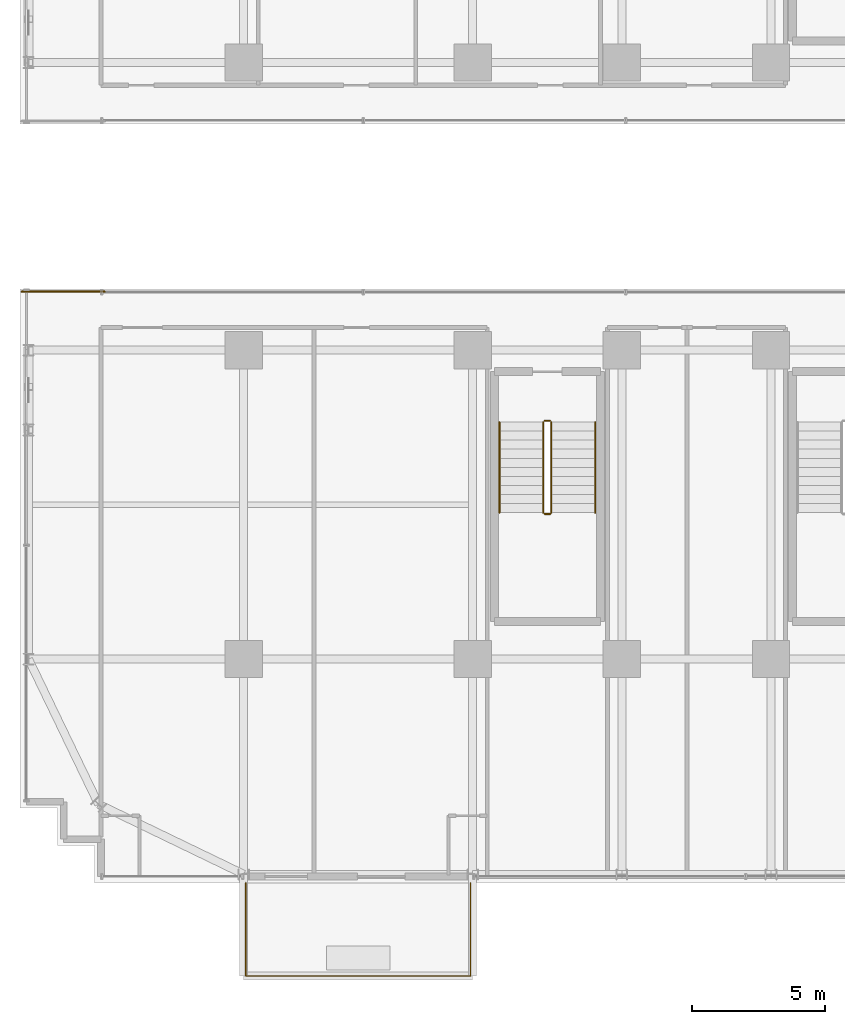
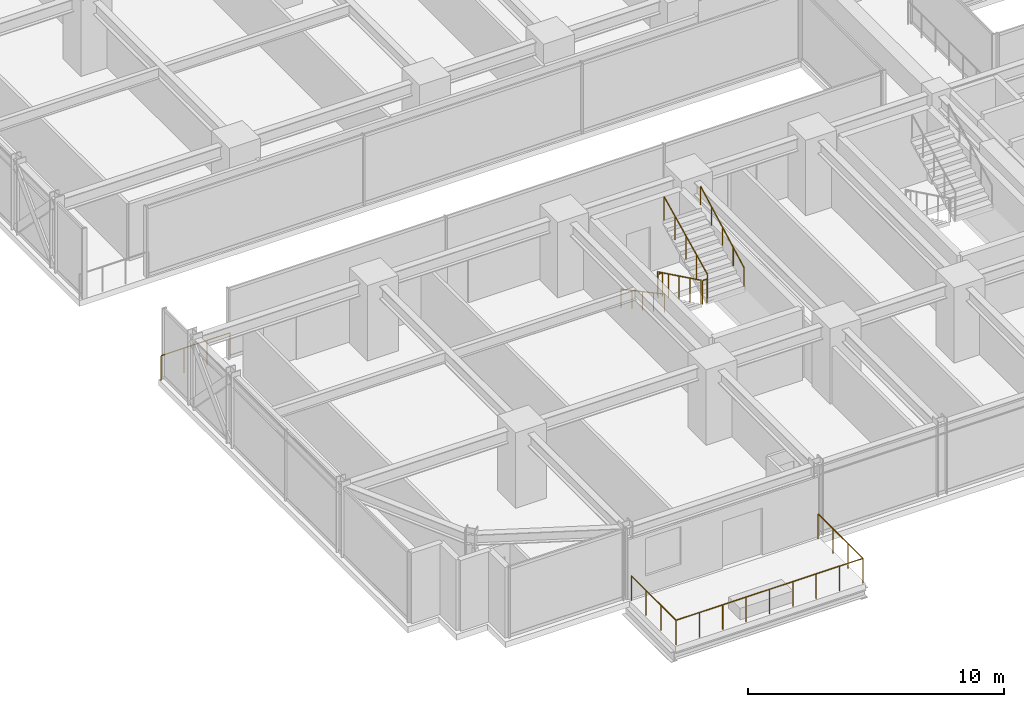
# One storey, part 39 of 43: 8 railings.
"""IFC4 building model written with IfcOpenShell, lengths in metres."""

from ifc_helpers import new_model, si_unit, direction, frame, origin, origin_2d, place, context, subcontext, project, spatial, circle, extrude, material, type_object, element, save


model = new_model("IFC4")

# Units and contexts
model_context = context("Model", 3, precision=1e-05, world=origin(), true_north=direction((0.0, 1.0)))
body_context = subcontext(model_context, "Body", "Model", "MODEL_VIEW")
ifc_project = project(units=[si_unit("LENGTHUNIT", "METRE"), si_unit("AREAUNIT", "SQUARE_METRE"), si_unit("VOLUMEUNIT", "CUBIC_METRE"), si_unit("PLANEANGLEUNIT", "RADIAN"), si_unit("MASSUNIT", "GRAM", prefix="KILO")], contexts=[model_context])

# Site, building, storey
site_placement = place(None, origin())
site = spatial("IfcSite", under=ifc_project, at=site_placement, CompositionType="ELEMENT")
building_placement = place(site_placement, origin())
building = spatial("IfcBuilding", under=site, at=building_placement, Name="Nahalor Promenade Grand Hotel", CompositionType="ELEMENT")
storey_placement = place(building_placement, frame((0.0, 0.0, 57.949951171875)))
storey = spatial("IfcBuildingStorey", under=building, at=storey_placement, Name="L13", CompositionType="ELEMENT", Elevation=57.949951171875)

# Railings
ifc_material_1 = material(Name="Anodised Bronze Aluminium EN AW-6063 T6", Category="aluminium")
railing_type_1 = type_object("IfcRailingType", Name="Bronze Balcony Guardrail 1200 mm", PredefinedType="GUARDRAIL", material=ifc_material_1)
railing_1_placement = place(storey_placement, frame((-25.340087890625, -3.199951171875, 0.0)))
element("IfcRailing", 1, at=railing_1_placement, inside=storey, type_object=railing_type_1, Name="L13 Oculus Void Edge Guardrail WS", PredefinedType="GUARDRAIL", context=body_context, shape_type="SweptSolid", body=[
    extrude(circle(Radius=0.024048, at=origin_2d()), frame((0.0, 0.0, 1.17578125), z_axis=(1.0, 0.0, 0.0), x_axis=(0.0, 1.0, 0.0)), (0.0, 0.0, 1.0), 3.1201171875),
    extrude(circle(Radius=0.020996, at=origin_2d()), origin(), (0.0, 0.0, 1.0), 1.14990234375),
    extrude(circle(Radius=0.020996, at=origin_2d()), frame((1.0400390625, 0.0, 0.0)), (0.0, 0.0, 1.0), 1.14990234375),
    extrude(circle(Radius=0.020996, at=origin_2d()), frame((2.080078125, 0.0, 0.0)), (0.0, 0.0, 1.0), 1.14990234375),
    extrude(circle(Radius=0.020996, at=origin_2d()), frame((3.1201171875, 0.0, 0.0)), (0.0, 0.0, 1.0), 1.14990234375),
])
railing_2_placement = place(storey_placement, frame((-16.919921875, -25.39990234375, 0.0)))
element("IfcRailing", 2, at=railing_2_placement, inside=storey, type_object=railing_type_1, Name="L13 Balcony Guardrail 1", PredefinedType="GUARDRAIL", context=body_context, shape_type="SweptSolid", body=[
    extrude(circle(Radius=0.024048, at=origin_2d()), frame((0.0, 0.0, 1.17578125), z_axis=(0.0, -1.0, 0.0), x_axis=(1.0, 0.0, 0.0)), (0.0, 0.0, 1.0), 3.498046875),
    extrude(circle(Radius=0.024048, at=origin_2d()), frame((0.001953125, -3.5, 1.17578125), z_axis=(1.0, 0.0, 0.0), x_axis=(0.0, 1.0, 0.0)), (0.0, 0.0, 1.0), 8.43603515625),
    extrude(circle(Radius=0.024048, at=origin_2d()), frame((8.43994140625, -3.498046875, 1.17578125), z_axis=(0.0, 1.0, 0.0), x_axis=(-1.0, 0.0, 0.0)), (0.0, 0.0, 1.0), 3.498046875),
    extrude(circle(Radius=0.020996, at=origin_2d()), origin(), (0.0, 0.0, 1.0), 1.14990234375),
    extrude(circle(Radius=0.020996, at=origin_2d()), frame((0.0, -1.166748046875, 0.0)), (0.0, 0.0, 1.0), 1.14990234375),
    extrude(circle(Radius=0.020996, at=origin_2d()), frame((0.0, -2.333251953125, 0.0)), (0.0, 0.0, 1.0), 1.14990234375),
    extrude(circle(Radius=0.020996, at=origin_2d()), frame((0.0, -3.5, 0.0)), (0.0, 0.0, 1.0), 1.14990234375),
    extrude(circle(Radius=0.020996, at=origin_2d()), frame((1.054931640625, -3.5, 0.0)), (0.0, 0.0, 1.0), 1.14990234375),
    extrude(circle(Radius=0.020996, at=origin_2d()), frame((2.10986328125, -3.5, 0.0)), (0.0, 0.0, 1.0), 1.14990234375),
    extrude(circle(Radius=0.020996, at=origin_2d()), frame((3.1650390625, -3.5, 0.0)), (0.0, 0.0, 1.0), 1.14990234375),
    extrude(circle(Radius=0.020996, at=origin_2d()), frame((4.219970703125, -3.5, 0.0)), (0.0, 0.0, 1.0), 1.14990234375),
    extrude(circle(Radius=0.020996, at=origin_2d()), frame((5.27490234375, -3.5, 0.0)), (0.0, 0.0, 1.0), 1.14990234375),
    extrude(circle(Radius=0.020996, at=origin_2d()), frame((6.330078125, -3.5, 0.0)), (0.0, 0.0, 1.0), 1.14990234375),
    extrude(circle(Radius=0.020996, at=origin_2d()), frame((7.385009765625, -3.5, 0.0)), (0.0, 0.0, 1.0), 1.14990234375),
    extrude(circle(Radius=0.020996, at=origin_2d()), frame((8.43994140625, -3.5, 0.0)), (0.0, 0.0, 1.0), 1.14990234375),
    extrude(circle(Radius=0.020996, at=origin_2d()), frame((8.43994140625, -2.333251953125, 0.0)), (0.0, 0.0, 1.0), 1.14990234375),
    extrude(circle(Radius=0.020996, at=origin_2d()), frame((8.43994140625, -1.166748046875, 0.0)), (0.0, 0.0, 1.0), 1.14990234375),
    extrude(circle(Radius=0.020996, at=origin_2d()), frame((8.43994140625, 0.0, 0.0)), (0.0, 0.0, 1.0), 1.14990234375),
])
ifc_material_2 = material(Name="Steel S355JR", Category="steel")
railing_type_2 = type_object("IfcRailingType", Name="Steel Stair Guardrail 1150 mm", PredefinedType="GUARDRAIL", material=ifc_material_2)
railing_3_placement = place(storey_placement, frame((-5.75, -8.10009765625, 0.166015625)))
element("IfcRailing", 3, at=railing_3_placement, inside=storey, type_object=railing_type_2, Name="L13 ST3 stair guard 1", PredefinedType="GUARDRAIL", context=body_context, shape_type="SweptSolid", body=[
    extrude(circle(Radius=0.024048, at=origin_2d()), frame((0.0, 0.0, 1.1259765625), z_axis=(0.0, -0.898721922897, 0.438518990814), x_axis=(1.0, 0.0, 0.0)), (0.0, 0.0, 1.0), 3.782958984375),
    extrude(circle(Radius=0.020996, at=origin_2d()), origin(), (0.0, 0.0, 1.0), 1.099853515625),
    extrude(circle(Radius=0.020996, at=origin_2d()), frame((0.0, -0.85009765625, 0.414794921875)), (0.0, 0.0, 1.0), 1.099853515625),
    extrude(circle(Radius=0.020996, at=origin_2d()), frame((0.0, -1.699951171875, 0.82958984375)), (0.0, 0.0, 1.0), 1.099853515625),
    extrude(circle(Radius=0.020996, at=origin_2d()), frame((0.0, -2.5498046875, 1.244140625)), (0.0, 0.0, 1.0), 1.099853515625),
    extrude(circle(Radius=0.020996, at=origin_2d()), frame((0.0, -3.39990234375, 1.658935546875)), (0.0, 0.0, 1.0), 1.099853515625),
])
railing_4_placement = place(storey_placement, frame((-5.699951171875, -11.550048828125, 1.824951171875)))
element("IfcRailing", 4, at=railing_4_placement, inside=storey, type_object=railing_type_2, Name="L13 ST3 stair guard 2", PredefinedType="GUARDRAIL", context=body_context, shape_type="SweptSolid", body=[
    extrude(circle(Radius=0.024048, at=origin_2d()), frame((0.0, 0.0, 1.1259765625), z_axis=(1.0, 0.0, 0.0), x_axis=(0.0, 1.0, 0.0)), (0.0, 0.0, 1.0), 0.199951171875),
    extrude(circle(Radius=0.020996, at=origin_2d()), origin(), (0.0, 0.0, 1.0), 1.099853515625),
    extrude(circle(Radius=0.020996, at=origin_2d()), frame((0.199951171875, 0.0, 0.0)), (0.0, 0.0, 1.0), 1.099853515625),
])
railing_5_placement = place(storey_placement, frame((-5.449951171875, -11.5, 1.990966796875)))
element("IfcRailing", 5, at=railing_5_placement, inside=storey, type_object=railing_type_2, Name="L13 ST3 stair guard 3", PredefinedType="GUARDRAIL", context=body_context, shape_type="SweptSolid", body=[
    extrude(circle(Radius=0.024048, at=origin_2d()), frame((0.0, 0.0, 1.1259765625), z_axis=(0.0, 0.898696488221, 0.438571114028), x_axis=(-1.0, 0.0, 0.0)), (0.0, 0.0, 1.0), 3.783203125),
    extrude(circle(Radius=0.020996, at=origin_2d()), origin(), (0.0, 0.0, 1.0), 1.099853515625),
    extrude(circle(Radius=0.020996, at=origin_2d()), frame((0.0, 0.85009765625, 0.414794921875)), (0.0, 0.0, 1.0), 1.099853515625),
    extrude(circle(Radius=0.020996, at=origin_2d()), frame((0.0, 1.699951171875, 0.82958984375)), (0.0, 0.0, 1.0), 1.099853515625),
    extrude(circle(Radius=0.020996, at=origin_2d()), frame((0.0, 2.5498046875, 1.244384765625)), (0.0, 0.0, 1.0), 1.099853515625),
    extrude(circle(Radius=0.020996, at=origin_2d()), frame((0.0, 3.39990234375, 1.6591796875)), (0.0, 0.0, 1.0), 1.099853515625),
])
railing_6_placement = place(storey_placement, frame((-5.699951171875, -8.050048828125, 0.0)))
element("IfcRailing", 6, at=railing_6_placement, inside=storey, type_object=railing_type_2, Name="L13 ST3 stair guard 4", PredefinedType="GUARDRAIL", context=body_context, shape_type="SweptSolid", body=[
    extrude(circle(Radius=0.024048, at=origin_2d()), frame((0.0, 0.0, 1.1259765625), z_axis=(1.0, 0.0, 0.0), x_axis=(0.0, 1.0, 0.0)), (0.0, 0.0, 1.0), 0.199951171875),
    extrude(circle(Radius=0.020996, at=origin_2d()), origin(), (0.0, 0.0, 1.0), 1.099853515625),
    extrude(circle(Radius=0.020996, at=origin_2d()), frame((0.199951171875, 0.0, 0.0)), (0.0, 0.0, 1.0), 1.099853515625),
])
railing_type_3 = type_object("IfcRailingType", Name="Steel Stair Handrail 900 mm", PredefinedType="HANDRAIL", material=ifc_material_2)
railing_7_placement = place(storey_placement, frame((-7.39990234375, -8.10009765625, 0.166015625)))
element("IfcRailing", 7, at=railing_7_placement, inside=storey, type_object=railing_type_3, Name="L13 ST3 stair handrail 1", PredefinedType="HANDRAIL", context=body_context, shape_type="SweptSolid", body=[
    extrude(circle(Radius=0.024048, at=origin_2d()), frame((0.0, 0.0, 0.8759765625), z_axis=(0.0, -0.881094038095, 0.47294111265), x_axis=(1.0, 0.0, 0.0)), (0.0, 0.0, 1.0), 3.858642578125),
    extrude(circle(Radius=0.020996, at=origin_2d()), origin(), (0.0, 0.0, 1.0), 0.849853515625),
    extrude(circle(Radius=0.020996, at=origin_2d()), frame((0.0, -0.85009765625, 0.456298828125)), (0.0, 0.0, 1.0), 0.849853515625),
    extrude(circle(Radius=0.020996, at=origin_2d()), frame((0.0, -1.699951171875, 0.91259765625)), (0.0, 0.0, 1.0), 0.849853515625),
    extrude(circle(Radius=0.020996, at=origin_2d()), frame((0.0, -2.5498046875, 1.36865234375)), (0.0, 0.0, 1.0), 0.849853515625),
    extrude(circle(Radius=0.020996, at=origin_2d()), frame((0.0, -3.39990234375, 1.824951171875)), (0.0, 0.0, 1.0), 0.849853515625),
])
railing_8_placement = place(storey_placement, frame((-3.800048828125, -11.5, 1.990966796875)))
element("IfcRailing", 8, at=railing_8_placement, inside=storey, type_object=railing_type_3, Name="L13 ST3 stair handrail 2", PredefinedType="HANDRAIL", context=body_context, shape_type="SweptSolid", body=[
    extrude(circle(Radius=0.024048, at=origin_2d()), frame((0.0, 0.0, 0.8759765625), z_axis=(0.0, 0.881094038095, 0.47294111265), x_axis=(-1.0, 0.0, 0.0)), (0.0, 0.0, 1.0), 3.858642578125),
    extrude(circle(Radius=0.020996, at=origin_2d()), origin(), (0.0, 0.0, 1.0), 0.849853515625),
    extrude(circle(Radius=0.020996, at=origin_2d()), frame((0.0, 0.85009765625, 0.456298828125)), (0.0, 0.0, 1.0), 0.849853515625),
    extrude(circle(Radius=0.020996, at=origin_2d()), frame((0.0, 1.699951171875, 0.91259765625)), (0.0, 0.0, 1.0), 0.849853515625),
    extrude(circle(Radius=0.020996, at=origin_2d()), frame((0.0, 2.5498046875, 1.36865234375)), (0.0, 0.0, 1.0), 0.849853515625),
    extrude(circle(Radius=0.020996, at=origin_2d()), frame((0.0, 3.39990234375, 1.824951171875)), (0.0, 0.0, 1.0), 0.849853515625),
])

save(model, "model.ifc")
